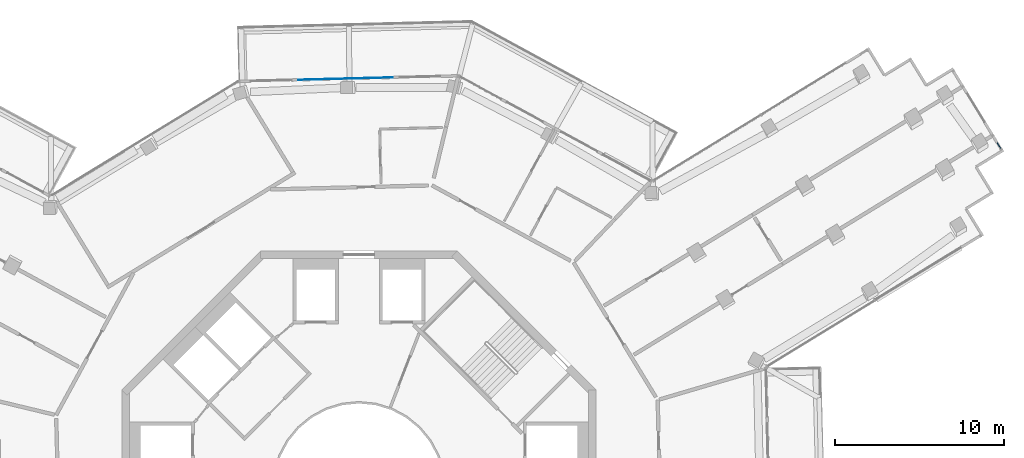
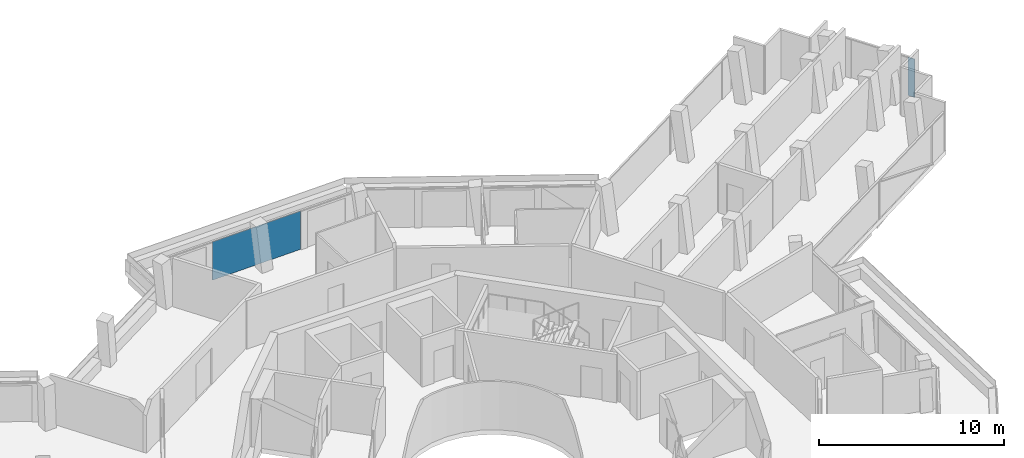
# One storey, part 16 of 26: 2 plates, 2 elements without a shape of their own.
"""IFC4 building model written with IfcOpenShell, lengths in metres."""

from ifc_helpers import new_model, si_unit, direction, frame, origin, origin_2d, place, context, subcontext, project, spatial, rectangle, extrude, material, layer, layer_set, type_object, element, aggregate, save


model = new_model("IFC4")

# Units and contexts
model_context = context("Model", 3, precision=1e-05, world=origin(), true_north=direction((0.0, 1.0)))
body_context = subcontext(model_context, "Body", "Model", "MODEL_VIEW")
ifc_project = project(units=[si_unit("LENGTHUNIT", "METRE"), si_unit("AREAUNIT", "SQUARE_METRE"), si_unit("VOLUMEUNIT", "CUBIC_METRE"), si_unit("PLANEANGLEUNIT", "RADIAN"), si_unit("MASSUNIT", "GRAM", prefix="KILO")], contexts=[model_context])

# Site, building, storey
site_placement = place(None, origin())
site = spatial("IfcSite", under=ifc_project, at=site_placement, CompositionType="ELEMENT")
building_placement = place(site_placement, origin())
building = spatial("IfcBuilding", under=site, at=building_placement, Name="Verdalira Terraces Hotel", CompositionType="ELEMENT")
storey_placement = place(building_placement, frame((0.0, 0.0, 284.5)))
storey = spatial("IfcBuildingStorey", under=building, at=storey_placement, Name="L70", CompositionType="ELEMENT", Elevation=284.5)

# Curtain wall, plate
ifc_material_1 = material(Name="Clear glass", Category="glass")
ifc_layer_1 = layer(ifc_material_1, 0.14990234375)
ifc_layer_set_1 = layer_set([ifc_layer_1], Name="CW1 curtain wall")
curtain_wall_type_1 = type_object("IfcCurtainWallType", Name="CW1 curtain wall", PredefinedType="NOTDEFINED", material=ifc_layer_set_1)
curtain_wall_1_placement = place(storey_placement, origin())
curtain_wall_1 = element("IfcCurtainWall", 1, at=curtain_wall_1_placement, inside=storey, type_object=curtain_wall_type_1, Name="CW1 curtain wall L70 edge 40", PredefinedType="NOTDEFINED")
ifc_material_2 = material(Name="Clear glass", Category="glass")
ifc_layer_2 = layer(ifc_material_2, 0.028076171875)
ifc_layer_set_2 = layer_set([ifc_layer_2], Name="CW1 glass unit 28")
plate_type_1 = type_object("IfcPlateType", Name="CW1 glass unit 28", PredefinedType="CURTAIN_PANEL", material=ifc_layer_set_2)
plate_1_placement = place(storey_placement, frame((-0.787598, 24.171143, 0.0), z_axis=(0.0, 0.0, 1.0), x_axis=(-0.999684189, -0.025130095, 0.0)))
plate_1 = element("IfcPlate", 2, at=plate_1_placement, type_object=plate_type_1, Name="CW1 glass unit", PredefinedType="CURTAIN_PANEL", context=body_context, shape_type="SweptSolid", body=[
    extrude(rectangle(XDim=5.586182, YDim=0.028076, at=origin_2d()), origin(), (0.0, 0.0, 1.0), 2.524902),
])
aggregate(curtain_wall_1, [plate_1])

ifc_material_3 = material(Name="Clear glass", Category="glass")
ifc_layer_3 = layer(ifc_material_3, 0.14990234375)
ifc_layer_set_3 = layer_set([ifc_layer_3], Name="CW3 curtain wall")
curtain_wall_type_2 = type_object("IfcCurtainWallType", Name="CW3 curtain wall", PredefinedType="NOTDEFINED", material=ifc_layer_set_3)
curtain_wall_2_placement = place(storey_placement, origin())
curtain_wall_2 = element("IfcCurtainWall", 3, at=curtain_wall_2_placement, inside=storey, type_object=curtain_wall_type_2, Name="CW3 curtain wall L70 edge 33", PredefinedType="NOTDEFINED")
ifc_material_4 = material(Name="Clear glass", Category="glass")
ifc_layer_4 = layer(ifc_material_4, 0.035888671875)
ifc_layer_set_4 = layer_set([ifc_layer_4], Name="CW3 glass unit 36")
plate_type_2 = type_object("IfcPlateType", Name="CW3 glass unit 36", PredefinedType="CURTAIN_PANEL", material=ifc_layer_set_4)
plate_2_placement = place(storey_placement, frame((37.786865, 20.206543, 0.0), z_axis=(0.0, 0.0, 1.0), x_axis=(-0.521605396, 0.853186856, 0.0)))
plate_2 = element("IfcPlate", 4, at=plate_2_placement, type_object=plate_type_2, Name="CW3 glass unit", PredefinedType="CURTAIN_PANEL", context=body_context, shape_type="SweptSolid", body=[
    extrude(rectangle(XDim=0.399902, YDim=0.035889, at=origin_2d()), origin(), (0.0, 0.0, 1.0), 2.524902),
])
aggregate(curtain_wall_2, [plate_2])

save(model, "model.ifc")
